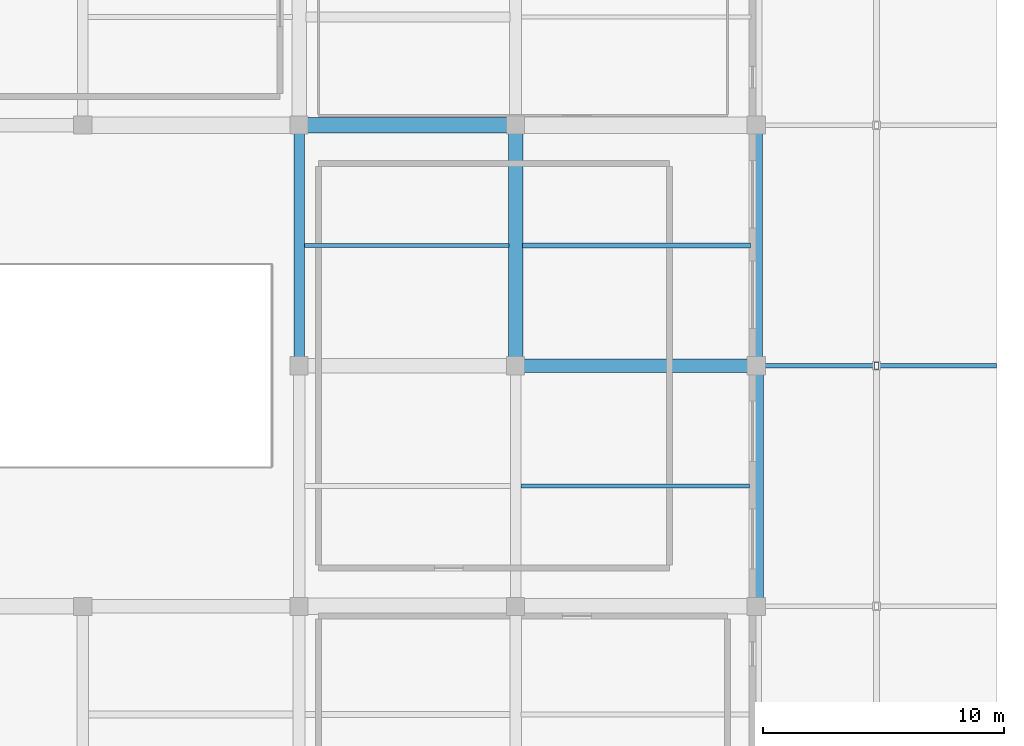
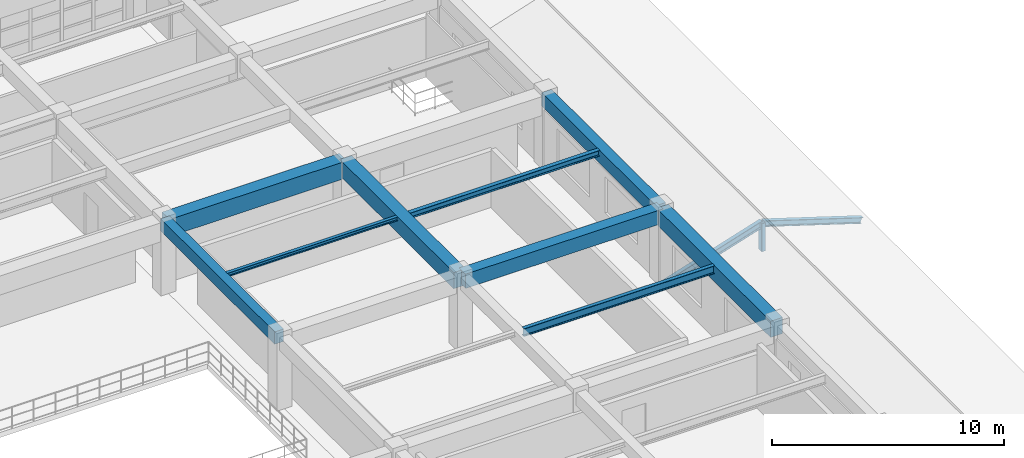
# One storey, part 82 of 130: 9 beams, 3 members.
"""IFC4 building model written with IfcOpenShell, lengths in metres."""

from ifc_helpers import new_model, si_unit, direction, frame, origin, origin_2d, place, context, subcontext, project, spatial, rectangle, hollow_rectangle, i_section, extrude, material, material_profile, profile_set, type_object, element, save


model = new_model("IFC4")

# Units and contexts
model_context = context("Model", 3, precision=1e-05, world=origin(), true_north=direction((0.0, 1.0)))
body_context = subcontext(model_context, "Body", "Model", "MODEL_VIEW")
ifc_project = project(units=[si_unit("LENGTHUNIT", "METRE"), si_unit("AREAUNIT", "SQUARE_METRE"), si_unit("VOLUMEUNIT", "CUBIC_METRE"), si_unit("PLANEANGLEUNIT", "RADIAN"), si_unit("MASSUNIT", "GRAM", prefix="KILO")], contexts=[model_context])

# Site, building, storey
site_placement = place(None, origin())
site = spatial("IfcSite", under=ifc_project, at=site_placement, CompositionType="ELEMENT")
building_placement = place(site_placement, origin())
building = spatial("IfcBuilding", under=site, at=building_placement, Name="Miravela Opera House", CompositionType="ELEMENT")
storey_placement = place(building_placement, frame((0.0, 0.0, 9.52001953125)))
storey = spatial("IfcBuildingStorey", under=building, at=storey_placement, Name="L02", CompositionType="ELEMENT", Elevation=9.52001953125)

# Beams
ifc_material_1 = material(Name="Concrete C35/45", Category="concrete")
ifc_material_profile_1 = material_profile(ifc_material_1, rectangle(XDim=0.449951171875, YDim=0.64990234375, at=origin_2d()), Name="RC-BM-450X650")
ifc_profile_set_1 = profile_set([ifc_material_profile_1])
beam_type_1 = type_object("IfcBeamType", Name="STR-BM-RC450X650", PredefinedType="BEAM", material=ifc_profile_set_1)
beam_1_placement = place(storey_placement, frame((135.0, 56.080078125, 3.514892578125), z_axis=(0.0, 1.0, 0.0), x_axis=(-1.0, 0.0, 0.0)))
element("IfcBeam", 1, at=beam_1_placement, inside=storey, type_object=beam_type_1, Name="Floor Girder L02 16/G-H", PredefinedType="BEAM", context=body_context, shape_type="SweptSolid", body=[
    extrude(rectangle(XDim=0.449951171875, YDim=0.64990234375, at=origin_2d()), origin(), (0.0, 0.0, 1.0), 9.83984375),
])
ifc_material_profile_2 = material_profile(ifc_material_1, rectangle(XDim=0.5, YDim=0.699951171875, at=origin_2d()), Name="RC-BM-500X700")
ifc_profile_set_2 = profile_set([ifc_material_profile_2])
beam_type_2 = type_object("IfcBeamType", Name="STR-BM-RC500X700", PredefinedType="BEAM", material=ifc_profile_set_2)
beam_2_placement = place(storey_placement, frame((154.0, 56.080078125, 3.489990234375), z_axis=(0.0, 1.0, 0.0), x_axis=(-1.0, 0.0, 0.0)))
element("IfcBeam", 2, at=beam_2_placement, inside=storey, type_object=beam_type_2, Name="Floor Girder L02 18/G-H", PredefinedType="BEAM", context=body_context, shape_type="SweptSolid", body=[
    extrude(rectangle(XDim=0.5, YDim=0.699951171875, at=origin_2d()), origin(), (0.0, 0.0, 1.0), 9.83984375),
])
ifc_material_profile_3 = material_profile(ifc_material_1, rectangle(XDim=0.550048828125, YDim=0.75, at=origin_2d()), Name="RC-BM-550X750")
ifc_profile_set_3 = profile_set([ifc_material_profile_3])
beam_type_3 = type_object("IfcBeamType", Name="STR-BM-RC550X750", PredefinedType="BEAM", material=ifc_profile_set_3)
beam_3_placement = place(storey_placement, frame((144.080078125, 56.0, 3.465087890625), z_axis=(1.0, 0.0, 0.0), x_axis=(0.0, 1.0, 0.0)))
element("IfcBeam", 3, at=beam_3_placement, inside=storey, type_object=beam_type_3, Name="Floor Girder L02 17-18/G", PredefinedType="BEAM", context=body_context, shape_type="SweptSolid", body=[
    extrude(rectangle(XDim=0.550048828125, YDim=0.75, at=origin_2d()), origin(), (0.0, 0.0, 1.0), 9.83984375),
])
ifc_material_2 = material(Name="Concrete C40/50", Category="concrete")
ifc_material_profile_4 = material_profile(ifc_material_2, rectangle(XDim=0.60009765625, YDim=0.85009765625, at=origin_2d()), Name="RC-BM-600X850")
ifc_profile_set_4 = profile_set([ifc_material_profile_4])
beam_type_4 = type_object("IfcBeamType", Name="STR-BM-RC600X850", PredefinedType="BEAM", material=ifc_profile_set_4)
for number, where, z_axis, x_axis, name in (
    (4, (144.0, 56.080078125, 3.4150390625), (0.0, 1.0, 0.0), (-1.0, 0.0, 0.0), "Floor Girder L02 17/G-H"),
    (5, (154.0, 46.080078125, 3.4150390625), (0.0, 1.0, 0.0), (-1.0, 0.0, 0.0), "Floor Girder L02 18/F-G"),
):
    element("IfcBeam", number, at=place(storey_placement, frame(where, z_axis=z_axis, x_axis=x_axis)), inside=storey, type_object=beam_type_4, Name=name, PredefinedType="BEAM", context=body_context, shape_type="SweptSolid", body=[
        extrude(rectangle(XDim=0.60009765625, YDim=0.85009765625, at=origin_2d()), origin(), (0.0, 0.0, 1.0), 9.83984375),
    ])
ifc_material_profile_5 = material_profile(ifc_material_2, rectangle(XDim=0.64990234375, YDim=0.89990234375, at=origin_2d()), Name="RC-BM-650X900")
ifc_profile_set_5 = profile_set([ifc_material_profile_5])
beam_type_5 = type_object("IfcBeamType", Name="STR-BM-RC650X900", PredefinedType="BEAM", material=ifc_profile_set_5)
beam_4_placement = place(storey_placement, frame((135.080078125, 66.0, 3.389892578125), z_axis=(1.0, 0.0, 0.0), x_axis=(0.0, 1.0, 0.0)))
element("IfcBeam", 6, at=beam_4_placement, inside=storey, type_object=beam_type_5, Name="Floor Girder L02 16-17/H", PredefinedType="BEAM", context=body_context, shape_type="SweptSolid", body=[
    extrude(rectangle(XDim=0.64990234375, YDim=0.89990234375, at=origin_2d()), origin(), (0.0, 0.0, 1.0), 8.83984375),
])
ifc_material_3 = material(Name="Structural steel ASTM A992 Gr. 50", Category="steel")
ifc_material_profile_6 = material_profile(ifc_material_3, i_section(OverallWidth=0.1650390625, OverallDepth=0.200927734375, WebThickness=0.006103515625, FlangeThickness=0.01025390625, FilletRadius=0.010009765625, at=origin_2d()), Name="W200X36")
ifc_profile_set_6 = profile_set([ifc_material_profile_6])
beam_type_6 = type_object("IfcBeamType", Name="STR-BM-W200X36", PredefinedType="LINTEL", material=ifc_profile_set_6)
beam_5_placement = place(storey_placement, frame((135.2099609375, 61.0, 3.739501953125), z_axis=(1.0, 0.0, 0.0), x_axis=(0.0, 1.0, 0.0)))
element("IfcBeam", 7, at=beam_5_placement, inside=storey, type_object=beam_type_6, Name="Secondary Floor Joist L02 16-17/G-H", PredefinedType="LINTEL", context=body_context, shape_type="SweptSolid", body=[
    extrude(i_section(OverallWidth=0.1650390625, OverallDepth=0.200927734375, WebThickness=0.006103515625, FlangeThickness=0.01025390625, FilletRadius=0.010009765625, at=origin_2d()), origin(), (0.0, 0.0, 1.0), 8.505126953125),
])
ifc_material_profile_7 = material_profile(ifc_material_3, i_section(OverallWidth=0.202880859375, OverallDepth=0.302978515625, WebThickness=0.007568359375, FlangeThickness=0.01318359375, FilletRadius=0.012939453125, at=origin_2d()), Name="W310X60")
ifc_profile_set_7 = profile_set([ifc_material_profile_7])
beam_type_7 = type_object("IfcBeamType", Name="STR-BM-W310X60", PredefinedType="JOIST", material=ifc_profile_set_7)
beam_6_placement = place(storey_placement, frame((144.284912109375, 61.0, 3.6884765625), z_axis=(1.0, 0.0, 0.0), x_axis=(0.0, 1.0, 0.0)))
element("IfcBeam", 8, at=beam_6_placement, inside=storey, type_object=beam_type_7, Name="Secondary Floor Joist L02 17-18/G-H", PredefinedType="JOIST", context=body_context, shape_type="SweptSolid", body=[
    extrude(i_section(OverallWidth=0.202880859375, OverallDepth=0.302978515625, WebThickness=0.007568359375, FlangeThickness=0.01318359375, FilletRadius=0.012939453125, at=origin_2d()), origin(), (0.0, 0.0, 1.0), 9.47998046875),
])
ifc_material_profile_8 = material_profile(ifc_material_3, i_section(OverallWidth=0.180908203125, OverallDepth=0.4169921875, WebThickness=0.010986328125, FlangeThickness=0.018310546875, FilletRadius=0.013916015625, at=origin_2d()), Name="W410X85")
ifc_profile_set_8 = profile_set([ifc_material_profile_8])
beam_type_8 = type_object("IfcBeamType", Name="STR-BM-W410X85", PredefinedType="JOIST", material=ifc_profile_set_8)
beam_7_placement = place(storey_placement, frame((144.2099609375, 51.0, 3.631591796875), z_axis=(1.0, 0.0, 0.0), x_axis=(0.0, 1.0, 0.0)))
element("IfcBeam", 9, at=beam_7_placement, inside=storey, type_object=beam_type_8, Name="Secondary Floor Joist L02 17-18/F-G", PredefinedType="JOIST", context=body_context, shape_type="SweptSolid", body=[
    extrude(i_section(OverallWidth=0.180908203125, OverallDepth=0.4169921875, WebThickness=0.010986328125, FlangeThickness=0.018310546875, FilletRadius=0.013916015625, at=origin_2d()), origin(), (0.0, 0.0, 1.0), 9.505126953125),
])

# Members
ifc_material_4 = material(Name="Hollow structural steel ASTM A500 Gr. C", Category="steel")
ifc_material_profile_9 = material_profile(ifc_material_4, hollow_rectangle(XDim=0.199951171875, YDim=0.300048828125, WallThickness=0.011962890625, InnerFilletRadius=0.011962890625, OuterFilletRadius=0.02392578125, at=origin_2d()), Name="HSS300X200X12")
ifc_profile_set_9 = profile_set([ifc_material_profile_9])
member_type_1 = type_object("IfcMemberType", Name="STR-MEM-POST-HSS300X200", PredefinedType="POST", material=ifc_profile_set_9)
member_1_placement = place(storey_placement, frame((159.0, 56.0, -0.25), z_axis=(0.0, 0.0, 1.0), x_axis=(1.0, 0.0, 0.0)))
element("IfcMember", 10, at=member_1_placement, inside=storey, type_object=member_type_1, Name="Roof Ridge Support Post ROOF-V4-FAR-E M6", PredefinedType="POST", context=body_context, shape_type="SweptSolid", body=[
    extrude(hollow_rectangle(XDim=0.199951171875, YDim=0.300048828125, WallThickness=0.011962890625, InnerFilletRadius=0.011962890625, OuterFilletRadius=0.02392578125, at=origin_2d()), origin(), (0.0, 0.0, 1.0), 1.469970703125),
])
ifc_material_profile_10 = material_profile(ifc_material_3, i_section(OverallWidth=0.2041015625, OverallDepth=0.35009765625, WebThickness=0.008544921875, FlangeThickness=0.01513671875, FilletRadius=0.013916015625, at=origin_2d()), Name="W360X72")
ifc_profile_set_10 = profile_set([ifc_material_profile_10])
member_type_2 = type_object("IfcMemberType", Name="STR-MEM-RAFTER-1", PredefinedType="RAFTER", material=ifc_profile_set_10)
member_2_placement = place(storey_placement, frame((154.050048828125, 56.0, -0.39990234375), z_axis=(0.953766624153, 0.0, 0.300548210195), x_axis=(0.0, 1.0, 0.0)))
element("IfcMember", 11, at=member_2_placement, inside=storey, type_object=member_type_2, Name="Pitched Roof Rafter ROOF-V4-FAR-E W6", PredefinedType="RAFTER", context=body_context, shape_type="SweptSolid", body=[
    extrude(i_section(OverallWidth=0.2041015625, OverallDepth=0.35009765625, WebThickness=0.008544921875, FlangeThickness=0.01513671875, FilletRadius=0.013916015625, at=origin_2d()), origin(), (0.0, 0.0, 1.0), 5.18994140625),
])
ifc_material_profile_11 = material_profile(ifc_material_3, i_section(OverallWidth=0.202880859375, OverallDepth=0.302978515625, WebThickness=0.007568359375, FlangeThickness=0.01318359375, FilletRadius=0.012939453125, at=origin_2d()), Name="W310X60")
ifc_profile_set_11 = profile_set([ifc_material_profile_11])
member_type_3 = type_object("IfcMemberType", Name="STR-MEM-RAFTER-2", PredefinedType="RAFTER", material=ifc_profile_set_11)
member_3_placement = place(storey_placement, frame((163.949951171875, 56.0, -0.39990234375), z_axis=(-0.953766624153, 0.0, 0.300548210195), x_axis=(0.0, -1.0, 0.0)))
element("IfcMember", 12, at=member_3_placement, inside=storey, type_object=member_type_3, Name="Pitched Roof Rafter ROOF-V4-FAR-E E6", PredefinedType="RAFTER", context=body_context, shape_type="SweptSolid", body=[
    extrude(i_section(OverallWidth=0.202880859375, OverallDepth=0.302978515625, WebThickness=0.007568359375, FlangeThickness=0.01318359375, FilletRadius=0.012939453125, at=origin_2d()), origin(), (0.0, 0.0, 1.0), 5.18994140625),
])

save(model, "model.ifc")
